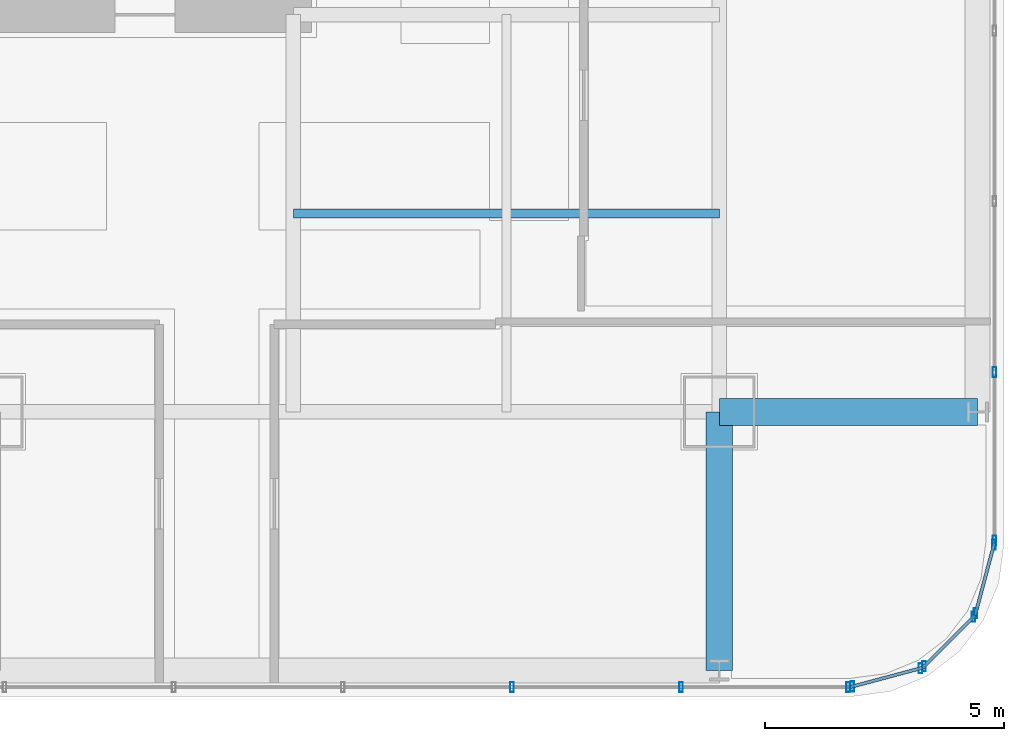
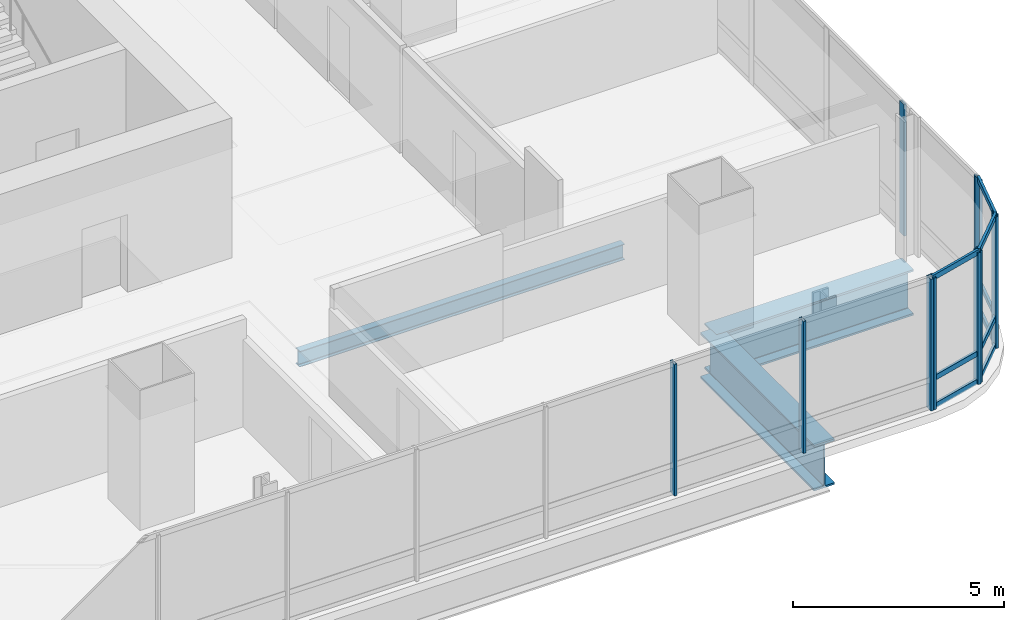
# One storey, part 12 of 34: 20 members, 3 beams, 5 elements without a shape of their own.
"""IFC4 building model written with IfcOpenShell, lengths in metres."""

from ifc_helpers import new_model, si_unit, direction, frame, origin, origin_2d, place, context, subcontext, project, spatial, hollow_rectangle, i_section, extrude, material, material_profile, profile_set, type_object, element, aggregate, save


model = new_model("IFC4")

# Units and contexts
model_context = context("Model", 3, precision=1e-05, world=origin(), true_north=direction((0.0, 1.0)))
body_context = subcontext(model_context, "Body", "Model", "MODEL_VIEW")
ifc_project = project(units=[si_unit("LENGTHUNIT", "METRE"), si_unit("AREAUNIT", "SQUARE_METRE"), si_unit("VOLUMEUNIT", "CUBIC_METRE"), si_unit("PLANEANGLEUNIT", "RADIAN"), si_unit("MASSUNIT", "GRAM", prefix="KILO")], contexts=[model_context])

# Site, building, storey
site_placement = place(None, origin())
site = spatial("IfcSite", under=ifc_project, at=site_placement, CompositionType="ELEMENT")
building_placement = place(site_placement, origin())
building = spatial("IfcBuilding", under=site, at=building_placement, Name="Punatoya Terracotta Tower", CompositionType="ELEMENT")
storey_placement = place(building_placement, frame((0.0, 0.0, 84.89990234375)))
storey = spatial("IfcBuildingStorey", under=building, at=storey_placement, Name="L19", CompositionType="ELEMENT", Elevation=84.89990234375)

# Beams
ifc_material_1 = material(Name="Steel S355", Category="steel")
ifc_material_profile_1 = material_profile(ifc_material_1, i_section(OverallWidth=0.18994140625, OverallDepth=0.449951171875, WebThickness=0.009521484375, FlangeThickness=0.0146484375, FilletRadius=0.01806640625, at=origin_2d()))
ifc_profile_set_1 = profile_set([ifc_material_profile_1], Name="Steel S355")
beam_type_1 = type_object("IfcBeamType", Name="BM-SEC-450", PredefinedType="JOIST", material=ifc_profile_set_1)
beam_placement = place(storey_placement, frame((10.199951171875, -13.35009765625, -0.46484375), z_axis=(1.0, 0.0, 0.0), x_axis=(0.0, 1.0, 0.0)))
element("IfcBeam", 1, at=beam_placement, inside=storey, type_object=beam_type_1, Name="BM-L19-SJS-2", PredefinedType="JOIST", context=body_context, shape_type="SweptSolid", body=[
    extrude(i_section(OverallWidth=0.18994140625, OverallDepth=0.449951171875, WebThickness=0.009521484375, FlangeThickness=0.0146484375, FilletRadius=0.01806640625, at=origin_2d()), origin(), (0.0, 0.0, 1.0), 8.900146484375),
])
ifc_material_2 = material(Name="Steel S460", Category="steel")
ifc_material_profile_2 = material_profile(ifc_material_2, i_section(OverallWidth=0.56005859375, OverallDepth=1.320068359375, WebThickness=0.035888671875, FlangeThickness=0.054931640625, FilletRadius=0.01806640625, at=origin_2d()))
ifc_profile_set_2 = profile_set([ifc_material_profile_2], Name="Steel S460")
beam_type_2 = type_object("IfcBeamType", Name="BM-TG-BLK", PredefinedType="BEAM", material=ifc_profile_set_2)
for number, where, z_axis, x_axis, name in (
    (2, (19.10009765625, -17.5, -0.89990234375), (1.0, 0.0, 0.0), (0.0, 1.0, 0.0), "BM-L19-CANT-E1"),
    (3, (19.10009765625, -22.89990234375, -0.89990234375), (0.0, 1.0, 0.0), (-1.0, 0.0, 0.0), "BM-L19-CANT-S4"),
):
    element("IfcBeam", number, at=place(storey_placement, frame(where, z_axis=z_axis, x_axis=x_axis)), inside=storey, type_object=beam_type_2, Name=name, PredefinedType="BEAM", context=body_context, shape_type="SweptSolid", body=[
        extrude(i_section(OverallWidth=0.56005859375, OverallDepth=1.320068359375, WebThickness=0.035888671875, FlangeThickness=0.054931640625, FilletRadius=0.01806640625, at=origin_2d()), origin(), (0.0, 0.0, 1.0), 5.39990234375),
    ])

# Curtain wall, members
ifc_material_3 = material(Name="Aluminium 6063-T6 + Double Low-E Glass", Category="aluminium")
curtain_wall_type = type_object("IfcCurtainWallType", Name="CW-M1", PredefinedType="NOTDEFINED", material=ifc_material_3)
curtain_wall_1_placement = place(storey_placement, origin())
curtain_wall_1 = element("IfcCurtainWall", 4, at=curtain_wall_1_placement, inside=storey, type_object=curtain_wall_type, Name="L19 Curtain Wall CW-L19-S01-1", PredefinedType="NOTDEFINED")
ifc_material_4 = material(Name="Aluminium 6063-T6", Category="aluminium")
ifc_material_profile_3 = material_profile(ifc_material_4, hollow_rectangle(XDim=0.074951171875, YDim=0.2099609375, WallThickness=0.00439453125, at=origin_2d()))
ifc_profile_set_3 = profile_set([ifc_material_profile_3], Name="Aluminium 6063-T6")
member_type_1 = type_object("IfcMemberType", Name="CW-MUL-M1", PredefinedType="MULLION", material=ifc_profile_set_3)
member_1_placement = place(storey_placement, frame((14.768798828125, -23.25, 0.0), z_axis=(0.0, 0.0, 1.0), x_axis=(1.0, 0.0, 0.0)))
member_1 = element("IfcMember", 5, at=member_1_placement, type_object=member_type_1, Name="CW-L19-S01-1 Mullion 09", PredefinedType="MULLION", context=body_context, shape_type="SweptSolid", body=[
    extrude(hollow_rectangle(XDim=0.074951171875, YDim=0.2099609375, WallThickness=0.00439453125, at=origin_2d()), origin(), (0.0, 0.0, 1.0), 3.81005859375),
])
member_2_placement = place(storey_placement, frame((18.302978515625, -23.25, 0.0), z_axis=(0.0, 0.0, 1.0), x_axis=(1.0, 0.0, 0.0)))
member_2 = element("IfcMember", 6, at=member_2_placement, type_object=member_type_1, Name="CW-L19-S01-1 Mullion 10", PredefinedType="MULLION", context=body_context, shape_type="SweptSolid", body=[
    extrude(hollow_rectangle(XDim=0.074951171875, YDim=0.2099609375, WallThickness=0.00439453125, at=origin_2d()), origin(), (0.0, 0.0, 1.0), 3.81005859375),
])
member_3_placement = place(storey_placement, frame((21.7919921875, -23.25, 0.0), z_axis=(0.0, 0.0, 1.0), x_axis=(1.0, 0.0, 0.0)))
member_3 = element("IfcMember", 7, at=member_3_placement, type_object=member_type_1, Name="CW-L19-S01-1 Mullion 11", PredefinedType="MULLION", context=body_context, shape_type="SweptSolid", body=[
    extrude(hollow_rectangle(XDim=0.074951171875, YDim=0.2099609375, WallThickness=0.00439453125, at=origin_2d()), origin(), (0.0, 0.0, 1.0), 3.81005859375),
])
aggregate(curtain_wall_1, [member_1, member_2, member_3])

curtain_wall_2_placement = place(storey_placement, origin())
curtain_wall_2 = element("IfcCurtainWall", 8, at=curtain_wall_2_placement, inside=storey, type_object=curtain_wall_type, Name="L19 Curtain Wall CW-L19-CRN02", PredefinedType="NOTDEFINED")
member_4_placement = place(storey_placement, frame((21.88037109375, -23.23828125, 0.0), z_axis=(0.0, 0.0, 1.0), x_axis=(1.0, 0.0, 0.0)))
member_4 = element("IfcMember", 9, at=member_4_placement, type_object=member_type_1, Name="CW-L19-CRN02 Mullion 00", PredefinedType="MULLION", context=body_context, shape_type="SweptSolid", body=[
    extrude(hollow_rectangle(XDim=0.074951171875, YDim=0.2099609375, WallThickness=0.00439453125, at=origin_2d()), origin(), (0.0, 0.0, 1.0), 3.81005859375),
])
member_5_placement = place(storey_placement, frame((23.3056640625, -22.858154296875, 0.0), z_axis=(0.0, 0.0, 1.0), x_axis=(1.0, 0.0, 0.0)))
member_5 = element("IfcMember", 10, at=member_5_placement, type_object=member_type_1, Name="CW-L19-CRN02 Mullion 01", PredefinedType="MULLION", context=body_context, shape_type="SweptSolid", body=[
    extrude(hollow_rectangle(XDim=0.074951171875, YDim=0.2099609375, WallThickness=0.00439453125, at=origin_2d()), origin(), (0.0, 0.0, 1.0), 3.81005859375),
])

curtain_wall_3_placement = place(storey_placement, origin())
curtain_wall_3 = element("IfcCurtainWall", 11, at=curtain_wall_3_placement, inside=storey, type_object=curtain_wall_type, Name="L19 Curtain Wall CW-L19-CRN03", PredefinedType="NOTDEFINED")
member_6_placement = place(storey_placement, frame((23.380859375, -22.814697265625, 0.0), z_axis=(0.0, 0.0, 1.0), x_axis=(1.0, 0.0, 0.0)))
member_6 = element("IfcMember", 12, at=member_6_placement, type_object=member_type_1, Name="CW-L19-CRN03 Mullion 00", PredefinedType="MULLION", context=body_context, shape_type="SweptSolid", body=[
    extrude(hollow_rectangle(XDim=0.074951171875, YDim=0.2099609375, WallThickness=0.00439453125, at=origin_2d()), origin(), (0.0, 0.0, 1.0), 3.81005859375),
])
member_7_placement = place(storey_placement, frame((24.414794921875, -21.781005859375, 0.0), z_axis=(0.0, 0.0, 1.0), x_axis=(1.0, 0.0, 0.0)))
member_7 = element("IfcMember", 13, at=member_7_placement, type_object=member_type_1, Name="CW-L19-CRN03 Mullion 01", PredefinedType="MULLION", context=body_context, shape_type="SweptSolid", body=[
    extrude(hollow_rectangle(XDim=0.074951171875, YDim=0.2099609375, WallThickness=0.00439453125, at=origin_2d()), origin(), (0.0, 0.0, 1.0), 3.81005859375),
])

curtain_wall_4_placement = place(storey_placement, origin())
curtain_wall_4 = element("IfcCurtainWall", 14, at=curtain_wall_4_placement, inside=storey, type_object=curtain_wall_type, Name="L19 Curtain Wall CW-L19-CRN04", PredefinedType="NOTDEFINED")
member_8_placement = place(storey_placement, frame((24.458251953125, -21.70556640625, 0.0), z_axis=(0.0, 0.0, 1.0), x_axis=(1.0, 0.0, 0.0)))
member_8 = element("IfcMember", 15, at=member_8_placement, type_object=member_type_1, Name="CW-L19-CRN04 Mullion 00", PredefinedType="MULLION", context=body_context, shape_type="SweptSolid", body=[
    extrude(hollow_rectangle(XDim=0.074951171875, YDim=0.2099609375, WallThickness=0.00439453125, at=origin_2d()), origin(), (0.0, 0.0, 1.0), 3.81005859375),
])
member_9_placement = place(storey_placement, frame((24.83837890625, -20.280517578125, 0.0), z_axis=(0.0, 0.0, 1.0), x_axis=(1.0, 0.0, 0.0)))
member_9 = element("IfcMember", 16, at=member_9_placement, type_object=member_type_1, Name="CW-L19-CRN04 Mullion 01", PredefinedType="MULLION", context=body_context, shape_type="SweptSolid", body=[
    extrude(hollow_rectangle(XDim=0.074951171875, YDim=0.2099609375, WallThickness=0.00439453125, at=origin_2d()), origin(), (0.0, 0.0, 1.0), 3.81005859375),
])

curtain_wall_5_placement = place(storey_placement, origin())
curtain_wall_5 = element("IfcCurtainWall", 17, at=curtain_wall_5_placement, inside=storey, type_object=curtain_wall_type, Name="L19 Curtain Wall CW-L19-E05-1", PredefinedType="NOTDEFINED")
member_10_placement = place(storey_placement, frame((24.85009765625, -20.19189453125, 0.0), z_axis=(0.0, 0.0, 1.0), x_axis=(1.0, 0.0, 0.0)))
member_10 = element("IfcMember", 18, at=member_10_placement, type_object=member_type_1, Name="CW-L19-E05-1 Mullion 00", PredefinedType="MULLION", context=body_context, shape_type="SweptSolid", body=[
    extrude(hollow_rectangle(XDim=0.074951171875, YDim=0.2099609375, WallThickness=0.00439453125, at=origin_2d()), origin(), (0.0, 0.0, 1.0), 3.81005859375),
])
member_11_placement = place(storey_placement, frame((24.85009765625, -16.66943359375, 0.0), z_axis=(0.0, 0.0, 1.0), x_axis=(1.0, 0.0, 0.0)))
member_11 = element("IfcMember", 19, at=member_11_placement, type_object=member_type_1, Name="CW-L19-E05-1 Mullion 01", PredefinedType="MULLION", context=body_context, shape_type="SweptSolid", body=[
    extrude(hollow_rectangle(XDim=0.074951171875, YDim=0.2099609375, WallThickness=0.00439453125, at=origin_2d()), origin(), (0.0, 0.0, 1.0), 3.81005859375),
])
aggregate(curtain_wall_5, [member_10, member_11])

# Member
ifc_material_profile_4 = material_profile(ifc_material_4, hollow_rectangle(XDim=0.068115234375, YDim=0.14990234375, WallThickness=0.00390625, at=origin_2d()))
ifc_profile_set_4 = profile_set([ifc_material_profile_4], Name="Aluminium 6063-T6")
member_type_2 = type_object("IfcMemberType", Name="CW-TRN-TYP", PredefinedType="USERDEFINED", material=ifc_profile_set_4)
member_12_placement = place(storey_placement, frame((21.8369140625, -23.25, 0.0400390625), z_axis=(0.966224582397, 0.257701486942, 0.0), x_axis=(-0.257701486942, 0.966224582397, 0.0)))
member_12 = element("IfcMember", 20, at=member_12_placement, type_object=member_type_2, Name="CW-L19-CRN02 Transom 1", ObjectType="TRANSOM", PredefinedType="USERDEFINED", context=body_context, shape_type="SweptSolid", body=[
    extrude(hollow_rectangle(XDim=0.068115234375, YDim=0.14990234375, WallThickness=0.00390625, at=origin_2d()), origin(), (0.0, 0.0, 1.0), 1.565185546875),
])

member_13_placement = place(storey_placement, frame((21.8369140625, -23.25, 0.85009765625), z_axis=(0.966224582397, 0.257701486942, 0.0), x_axis=(-0.257701486942, 0.966224582397, 0.0)))
member_13 = element("IfcMember", 21, at=member_13_placement, type_object=member_type_2, Name="CW-L19-CRN02 Transom 2", ObjectType="TRANSOM", PredefinedType="USERDEFINED", context=body_context, shape_type="SweptSolid", body=[
    extrude(hollow_rectangle(XDim=0.068115234375, YDim=0.14990234375, WallThickness=0.00390625, at=origin_2d()), origin(), (0.0, 0.0, 1.0), 1.565185546875),
])

member_14_placement = place(storey_placement, frame((21.8369140625, -23.25, 3.77001953125), z_axis=(0.966224582397, 0.257701486942, 0.0), x_axis=(-0.257701486942, 0.966224582397, 0.0)))
member_14 = element("IfcMember", 22, at=member_14_placement, type_object=member_type_2, Name="CW-L19-CRN02 Transom 3", ObjectType="TRANSOM", PredefinedType="USERDEFINED", context=body_context, shape_type="SweptSolid", body=[
    extrude(hollow_rectangle(XDim=0.068115234375, YDim=0.14990234375, WallThickness=0.00390625, at=origin_2d()), origin(), (0.0, 0.0, 1.0), 1.565185546875),
])

aggregate(curtain_wall_2, [member_4, member_5, member_12, member_13, member_14])

member_15_placement = place(storey_placement, frame((23.34912109375, -22.8466796875, 0.0400390625), z_axis=(0.707028130747, 0.707185422879, 0.0), x_axis=(-0.707185422879, 0.707028130747, 0.0)))
member_15 = element("IfcMember", 23, at=member_15_placement, type_object=member_type_2, Name="CW-L19-CRN03 Transom 1", ObjectType="TRANSOM", PredefinedType="USERDEFINED", context=body_context, shape_type="SweptSolid", body=[
    extrude(hollow_rectangle(XDim=0.068115234375, YDim=0.14990234375, WallThickness=0.00390625, at=origin_2d()), origin(), (0.0, 0.0, 1.0), 1.55224609375),
])

member_16_placement = place(storey_placement, frame((23.34912109375, -22.8466796875, 0.85009765625), z_axis=(0.707028130747, 0.707185422879, 0.0), x_axis=(-0.707185422879, 0.707028130747, 0.0)))
member_16 = element("IfcMember", 24, at=member_16_placement, type_object=member_type_2, Name="CW-L19-CRN03 Transom 2", ObjectType="TRANSOM", PredefinedType="USERDEFINED", context=body_context, shape_type="SweptSolid", body=[
    extrude(hollow_rectangle(XDim=0.068115234375, YDim=0.14990234375, WallThickness=0.00390625, at=origin_2d()), origin(), (0.0, 0.0, 1.0), 1.55224609375),
])

member_17_placement = place(storey_placement, frame((23.34912109375, -22.8466796875, 3.77001953125), z_axis=(0.707028130747, 0.707185422879, 0.0), x_axis=(-0.707185422879, 0.707028130747, 0.0)))
member_17 = element("IfcMember", 25, at=member_17_placement, type_object=member_type_2, Name="CW-L19-CRN03 Transom 3", ObjectType="TRANSOM", PredefinedType="USERDEFINED", context=body_context, shape_type="SweptSolid", body=[
    extrude(hollow_rectangle(XDim=0.068115234375, YDim=0.14990234375, WallThickness=0.00390625, at=origin_2d()), origin(), (0.0, 0.0, 1.0), 1.55224609375),
])

aggregate(curtain_wall_3, [member_6, member_7, member_15, member_16, member_17])

member_18_placement = place(storey_placement, frame((24.446533203125, -21.7490234375, 0.0400390625), z_axis=(0.257847112249, 0.966185730957, 0.0), x_axis=(-0.966185730957, 0.257847112249, 0.0)))
member_18 = element("IfcMember", 26, at=member_18_placement, type_object=member_type_2, Name="CW-L19-CRN04 Transom 1", ObjectType="TRANSOM", PredefinedType="USERDEFINED", context=body_context, shape_type="SweptSolid", body=[
    extrude(hollow_rectangle(XDim=0.068115234375, YDim=0.14990234375, WallThickness=0.00390625, at=origin_2d()), origin(), (0.0, 0.0, 1.0), 1.565185546875),
])

member_19_placement = place(storey_placement, frame((24.446533203125, -21.7490234375, 0.85009765625), z_axis=(0.257847112249, 0.966185730957, 0.0), x_axis=(-0.966185730957, 0.257847112249, 0.0)))
member_19 = element("IfcMember", 27, at=member_19_placement, type_object=member_type_2, Name="CW-L19-CRN04 Transom 2", ObjectType="TRANSOM", PredefinedType="USERDEFINED", context=body_context, shape_type="SweptSolid", body=[
    extrude(hollow_rectangle(XDim=0.068115234375, YDim=0.14990234375, WallThickness=0.00390625, at=origin_2d()), origin(), (0.0, 0.0, 1.0), 1.565185546875),
])

member_20_placement = place(storey_placement, frame((24.446533203125, -21.7490234375, 3.77001953125), z_axis=(0.257847112249, 0.966185730957, 0.0), x_axis=(-0.966185730957, 0.257847112249, 0.0)))
member_20 = element("IfcMember", 28, at=member_20_placement, type_object=member_type_2, Name="CW-L19-CRN04 Transom 3", ObjectType="TRANSOM", PredefinedType="USERDEFINED", context=body_context, shape_type="SweptSolid", body=[
    extrude(hollow_rectangle(XDim=0.068115234375, YDim=0.14990234375, WallThickness=0.00390625, at=origin_2d()), origin(), (0.0, 0.0, 1.0), 1.565185546875),
])

aggregate(curtain_wall_4, [member_8, member_9, member_18, member_19, member_20])

save(model, "model.ifc")
